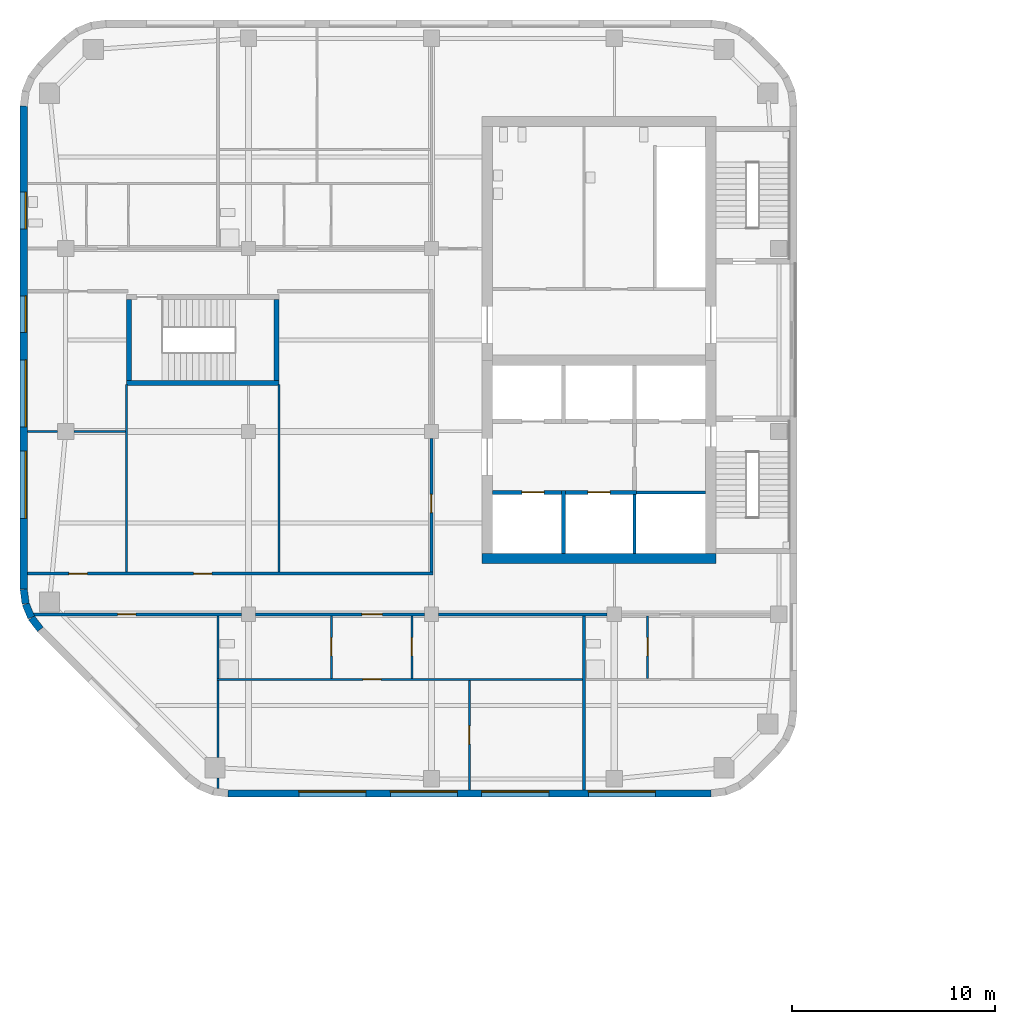
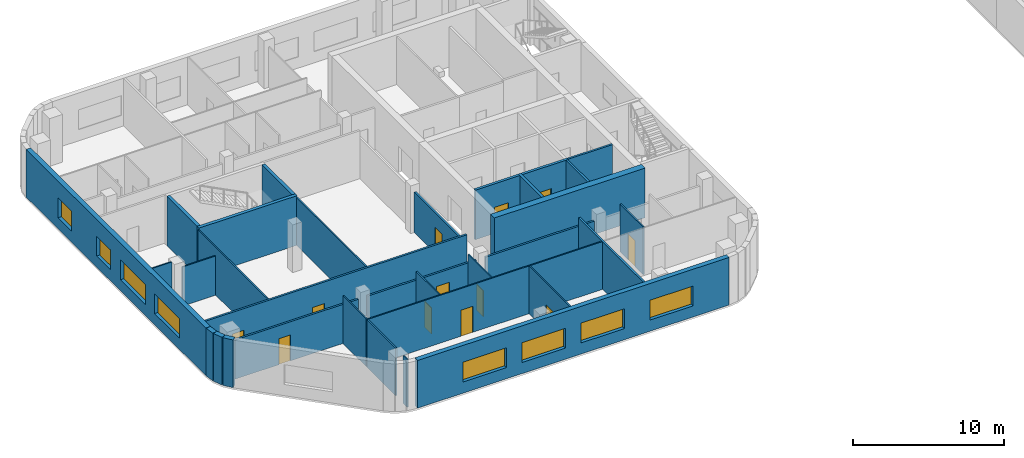
# One storey, part 5 of 16: 32 walls, 12 doors, 8 windows, 20 openings.
"""IFC4 building model written with IfcOpenShell, lengths in metres."""

from ifc_helpers import new_model, si_unit, direction, frame, frame_2d, origin, place, context, subcontext, project, spatial, rectangle, extrude, material, layer, layer_set, type_object, element, fill, save


model = new_model("IFC4")

# Units and contexts
model_context = context("Model", 3, precision=1e-05, world=origin(), true_north=direction((0.0, 1.0)))
body_context = subcontext(model_context, "Body", "Model", "MODEL_VIEW")
ifc_project = project(units=[si_unit("LENGTHUNIT", "METRE"), si_unit("AREAUNIT", "SQUARE_METRE"), si_unit("VOLUMEUNIT", "CUBIC_METRE"), si_unit("PLANEANGLEUNIT", "RADIAN"), si_unit("MASSUNIT", "GRAM", prefix="KILO")], contexts=[model_context])

# Site, building, storey
site_placement = place(None, origin())
site = spatial("IfcSite", under=ifc_project, at=site_placement, CompositionType="ELEMENT")
building_placement = place(site_placement, origin())
building = spatial("IfcBuilding", under=site, at=building_placement, Name="Cinnabar Reach Civic Tower", CompositionType="ELEMENT")
storey_placement = place(building_placement, frame((0.0, 0.0, 79.0)))
storey = spatial("IfcBuildingStorey", under=building, at=storey_placement, Name="L18", CompositionType="ELEMENT", Elevation=79.0)

# Walls
ifc_material_1 = material(Name="Facing brick with insulated backing", Category="masonry")
ifc_layer_1 = layer(ifc_material_1, 0.36)
ifc_layer_set_1 = layer_set([ifc_layer_1], Name="Brick corner wall")
wall_type_1 = type_object("IfcWallType", Name="Brick corner wall", PredefinedType="STANDARD", material=ifc_layer_set_1)
for number, where, z_axis, x_axis, name in (
    (1, (-65.067, 19.2314, 0.0), (0.0, 0.0, 1.0), (0.13055608231, -0.99144092581, 0.0), "Brick corner wall"),
    (2, (-64.9681, 18.5027, 0.0), (0.0, 0.0, 1.0), (0.382702709855, -0.923871547278, 0.0), "Brick corner wall"),
):
    element("IfcWall", number, at=place(storey_placement, frame(where, z_axis=z_axis, x_axis=x_axis)), inside=storey, type_object=wall_type_1, Name=name, PredefinedType="STANDARD", context=body_context, shape_type="SweptSolid", body=[
        extrude(rectangle(XDim=0.7131, YDim=0.36, at=frame_2d((0.3565, 0.0))), origin(), (0.0, 0.0, 1.0), 3.85),
    ])
wall_1_placement = place(storey_placement, frame((-64.684, 17.8245, 0.0), z_axis=(0.0, 0.0, 1.0), x_axis=(0.608802368033, -0.793321924995, 0.0)))
element("IfcWall", 3, at=wall_1_placement, inside=storey, type_object=wall_type_1, Name="Brick corner wall", PredefinedType="STANDARD", context=body_context, shape_type="SweptSolid", body=[
    extrude(rectangle(XDim=0.7132, YDim=0.36, at=frame_2d((0.3566, 0.0))), origin(), (0.0, 0.0, 1.0), 3.85),
])

# Wall, openings, windows
ifc_layer_2 = layer(ifc_material_1, 0.36)
ifc_layer_set_2 = layer_set([ifc_layer_2], Name="Brick pier and spandrel wall")
wall_type_2 = type_object("IfcWallType", Name="Brick pier and spandrel wall", PredefinedType="STANDARD", material=ifc_layer_set_2)
wall_2_placement = place(storey_placement, frame((-55.0074, 9.18, 0.0), z_axis=(0.0, 0.0, 1.0), x_axis=(1.0, 0.0, 0.0)))
wall_2 = element("IfcWall", 4, at=wall_2_placement, inside=storey, type_object=wall_type_2, Name="Brick facade wall", PredefinedType="STANDARD", context=body_context, shape_type="SweptSolid", body=[
    extrude(rectangle(XDim=23.7648, YDim=0.36, at=frame_2d((11.8824, 0.0))), origin(), (0.0, 0.0, 1.0), 3.85),
])
opening_1_placement = place(wall_2_placement, frame((3.4824, 0.0, 0.9)))
opening_1 = element("IfcOpeningElement", 5, at=opening_1_placement, cuts=wall_2, Name="Opening W2586", PredefinedType="OPENING", context=body_context, shape_type="SweptSolid", body=[
    extrude(rectangle(XDim=3.3, YDim=1.6, at=frame_2d((1.65, 0.8))), frame((0.0, 0.19, 0.0), z_axis=(0.0, -1.0, 0.0), x_axis=(1.0, 0.0, 0.0)), (0.0, 0.0, 1.0), 0.38),
])
opening_2_placement = place(wall_2_placement, frame((7.9824, 0.0, 0.9)))
opening_2 = element("IfcOpeningElement", 6, at=opening_2_placement, cuts=wall_2, Name="Opening W2587", PredefinedType="OPENING", context=body_context, shape_type="SweptSolid", body=[
    extrude(rectangle(XDim=3.3, YDim=1.6, at=frame_2d((1.65, 0.8))), frame((0.0, 0.19, 0.0), z_axis=(0.0, -1.0, 0.0), x_axis=(1.0, 0.0, 0.0)), (0.0, 0.0, 1.0), 0.38),
])
opening_3_placement = place(wall_2_placement, frame((12.4824, 0.0, 0.9)))
opening_3 = element("IfcOpeningElement", 7, at=opening_3_placement, cuts=wall_2, Name="Opening W2588", PredefinedType="OPENING", context=body_context, shape_type="SweptSolid", body=[
    extrude(rectangle(XDim=3.3, YDim=1.6, at=frame_2d((1.65, 0.8))), frame((0.0, 0.19, 0.0), z_axis=(0.0, -1.0, 0.0), x_axis=(1.0, 0.0, 0.0)), (0.0, 0.0, 1.0), 0.38),
])
opening_4_placement = place(wall_2_placement, frame((17.7324, 0.0, 0.9)))
opening_4 = element("IfcOpeningElement", 8, at=opening_4_placement, cuts=wall_2, Name="Opening W2589", PredefinedType="OPENING", context=body_context, shape_type="SweptSolid", body=[
    extrude(rectangle(XDim=3.3, YDim=1.6, at=frame_2d((1.65, 0.8))), frame((0.0, 0.19, 0.0), z_axis=(0.0, -1.0, 0.0), x_axis=(1.0, 0.0, 0.0)), (0.0, 0.0, 1.0), 0.38),
])
ifc_material_2 = material(Name="Clear double glazing in aluminium frame", Category="aluminium")
window_type_1 = type_object("IfcWindowType", Name="Deep-set window A", PartitioningType="SINGLE_PANEL", PredefinedType="WINDOW", material=ifc_material_2)
window_1_placement = place(opening_1_placement, origin())
window_1 = element("IfcWindow", 9, at=window_1_placement, inside=storey, type_object=window_type_1, Name="Window south face", OverallHeight=1.6, OverallWidth=3.3, PartitioningType="SINGLE_PANEL", PredefinedType="WINDOW", context=body_context, shape_type="SweptSolid", body=[
    extrude(rectangle(XDim=3.3, YDim=1.6, at=frame_2d((1.65, 0.8))), frame((0.0, 0.13, 0.0), z_axis=(0.0, -1.0, 0.0), x_axis=(1.0, 0.0, 0.0)), (0.0, 0.0, 1.0), 0.06),
])
fill(opening_1, window_1)
window_2_placement = place(opening_2_placement, origin())
window_2 = element("IfcWindow", 10, at=window_2_placement, inside=storey, type_object=window_type_1, Name="Window south face", OverallHeight=1.6, OverallWidth=3.3, PartitioningType="SINGLE_PANEL", PredefinedType="WINDOW", context=body_context, shape_type="SweptSolid", body=[
    extrude(rectangle(XDim=3.3, YDim=1.6, at=frame_2d((1.65, 0.8))), frame((0.0, 0.13, 0.0), z_axis=(0.0, -1.0, 0.0), x_axis=(1.0, 0.0, 0.0)), (0.0, 0.0, 1.0), 0.06),
])
fill(opening_2, window_2)
window_3_placement = place(opening_3_placement, origin())
window_3 = element("IfcWindow", 11, at=window_3_placement, inside=storey, type_object=window_type_1, Name="Window south face", OverallHeight=1.6, OverallWidth=3.3, PartitioningType="SINGLE_PANEL", PredefinedType="WINDOW", context=body_context, shape_type="SweptSolid", body=[
    extrude(rectangle(XDim=3.3, YDim=1.6, at=frame_2d((1.65, 0.8))), frame((0.0, 0.13, 0.0), z_axis=(0.0, -1.0, 0.0), x_axis=(1.0, 0.0, 0.0)), (0.0, 0.0, 1.0), 0.06),
])
fill(opening_3, window_3)
window_4_placement = place(opening_4_placement, origin())
window_4 = element("IfcWindow", 12, at=window_4_placement, inside=storey, type_object=window_type_1, Name="Window south face", OverallHeight=1.6, OverallWidth=3.3, PartitioningType="SINGLE_PANEL", PredefinedType="WINDOW", context=body_context, shape_type="SweptSolid", body=[
    extrude(rectangle(XDim=3.3, YDim=1.6, at=frame_2d((1.65, 0.8))), frame((0.0, 0.13, 0.0), z_axis=(0.0, -1.0, 0.0), x_axis=(1.0, 0.0, 0.0)), (0.0, 0.0, 1.0), 0.06),
])
fill(opening_4, window_4)

wall_3_placement = place(storey_placement, frame((-65.07, 43.0074, 0.0), z_axis=(0.0, 0.0, 1.0), x_axis=(0.0, -1.0, 0.0)))
wall_3 = element("IfcWall", 13, at=wall_3_placement, inside=storey, type_object=wall_type_2, Name="Brick facade wall", PredefinedType="STANDARD", context=body_context, shape_type="SweptSolid", body=[
    extrude(rectangle(XDim=23.7648, YDim=0.36, at=frame_2d((11.8824, 0.0))), origin(), (0.0, 0.0, 1.0), 3.85),
])
opening_5_placement = place(wall_3_placement, frame((4.2324, 0.0, 0.9)))
opening_5 = element("IfcOpeningElement", 14, at=opening_5_placement, cuts=wall_3, Name="Opening W2598", PredefinedType="OPENING", context=body_context, shape_type="SweptSolid", body=[
    extrude(rectangle(XDim=1.8, YDim=1.6, at=frame_2d((0.9, 0.8))), frame((0.0, 0.19, 0.0), z_axis=(0.0, -1.0, 0.0), x_axis=(1.0, 0.0, 0.0)), (0.0, 0.0, 1.0), 0.38),
])
opening_6_placement = place(wall_3_placement, frame((9.3324, 0.0, 0.9)))
opening_6 = element("IfcOpeningElement", 15, at=opening_6_placement, cuts=wall_3, Name="Opening W2599", PredefinedType="OPENING", context=body_context, shape_type="SweptSolid", body=[
    extrude(rectangle(XDim=1.8, YDim=1.6, at=frame_2d((0.9, 0.8))), frame((0.0, 0.19, 0.0), z_axis=(0.0, -1.0, 0.0), x_axis=(1.0, 0.0, 0.0)), (0.0, 0.0, 1.0), 0.38),
])
opening_7_placement = place(wall_3_placement, frame((12.4824, 0.0, 0.9)))
opening_7 = element("IfcOpeningElement", 16, at=opening_7_placement, cuts=wall_3, Name="Opening W2600", PredefinedType="OPENING", context=body_context, shape_type="SweptSolid", body=[
    extrude(rectangle(XDim=3.3, YDim=1.6, at=frame_2d((1.65, 0.8))), frame((0.0, 0.19, 0.0), z_axis=(0.0, -1.0, 0.0), x_axis=(1.0, 0.0, 0.0)), (0.0, 0.0, 1.0), 0.38),
])
opening_8_placement = place(wall_3_placement, frame((16.9824, 0.0, 0.9)))
opening_8 = element("IfcOpeningElement", 17, at=opening_8_placement, cuts=wall_3, Name="Opening W2601", PredefinedType="OPENING", context=body_context, shape_type="SweptSolid", body=[
    extrude(rectangle(XDim=3.3, YDim=1.6, at=frame_2d((1.65, 0.8))), frame((0.0, 0.19, 0.0), z_axis=(0.0, -1.0, 0.0), x_axis=(1.0, 0.0, 0.0)), (0.0, 0.0, 1.0), 0.38),
])
window_5_placement = place(opening_7_placement, origin())
window_5 = element("IfcWindow", 18, at=window_5_placement, inside=storey, type_object=window_type_1, Name="Window west face", OverallHeight=1.6, OverallWidth=3.3, PartitioningType="SINGLE_PANEL", PredefinedType="WINDOW", context=body_context, shape_type="SweptSolid", body=[
    extrude(rectangle(XDim=3.3, YDim=1.6, at=frame_2d((1.65, 0.8))), frame((0.0, 0.13, 0.0), z_axis=(0.0, -1.0, 0.0), x_axis=(1.0, 0.0, 0.0)), (0.0, 0.0, 1.0), 0.06),
])
fill(opening_7, window_5)
window_6_placement = place(opening_8_placement, origin())
window_6 = element("IfcWindow", 19, at=window_6_placement, inside=storey, type_object=window_type_1, Name="Window west face", OverallHeight=1.6, OverallWidth=3.3, PartitioningType="SINGLE_PANEL", PredefinedType="WINDOW", context=body_context, shape_type="SweptSolid", body=[
    extrude(rectangle(XDim=3.3, YDim=1.6, at=frame_2d((1.65, 0.8))), frame((0.0, 0.13, 0.0), z_axis=(0.0, -1.0, 0.0), x_axis=(1.0, 0.0, 0.0)), (0.0, 0.0, 1.0), 0.06),
])
fill(opening_8, window_6)
window_type_2 = type_object("IfcWindowType", Name="Deep-set window D", PartitioningType="SINGLE_PANEL", PredefinedType="WINDOW", material=ifc_material_2)
window_7_placement = place(opening_5_placement, origin())
window_7 = element("IfcWindow", 20, at=window_7_placement, inside=storey, type_object=window_type_2, Name="Window west face", OverallHeight=1.6, OverallWidth=1.8, PartitioningType="SINGLE_PANEL", PredefinedType="WINDOW", context=body_context, shape_type="SweptSolid", body=[
    extrude(rectangle(XDim=1.8, YDim=1.6, at=frame_2d((0.9, 0.8))), frame((0.0, 0.13, 0.0), z_axis=(0.0, -1.0, 0.0), x_axis=(1.0, 0.0, 0.0)), (0.0, 0.0, 1.0), 0.06),
])
fill(opening_5, window_7)
window_8_placement = place(opening_6_placement, origin())
window_8 = element("IfcWindow", 21, at=window_8_placement, inside=storey, type_object=window_type_2, Name="Window west face", OverallHeight=1.6, OverallWidth=1.8, PartitioningType="SINGLE_PANEL", PredefinedType="WINDOW", context=body_context, shape_type="SweptSolid", body=[
    extrude(rectangle(XDim=1.8, YDim=1.6, at=frame_2d((0.9, 0.8))), frame((0.0, 0.13, 0.0), z_axis=(0.0, -1.0, 0.0), x_axis=(1.0, 0.0, 0.0)), (0.0, 0.0, 1.0), 0.06),
])
fill(opening_6, window_8)

# Walls
ifc_material_3 = material(Name="Concrete C60", Category="concrete")
ifc_layer_3 = layer(ifc_material_3, 0.5)
ifc_layer_set_3 = layer_set([ifc_layer_3], Name="Core wall 500 EI 180")
wall_type_3 = type_object("IfcWallType", Name="Core wall 500 EI 180", PredefinedType="SOLIDWALL", material=ifc_layer_set_3)
wall_4_placement = place(storey_placement, frame((-42.5, 20.75, 0.0), z_axis=(0.0, 0.0, 1.0), x_axis=(1.0, 0.0, 0.0)))
element("IfcWall", 22, at=wall_4_placement, inside=storey, type_object=wall_type_3, Name="Core wall T2 L18 S", PredefinedType="SOLIDWALL", context=body_context, shape_type="SweptSolid", body=[
    extrude(rectangle(XDim=11.5, YDim=0.5, at=frame_2d((5.75, 0.0))), origin(), (0.0, 0.0, 1.0), 4.0),
])
ifc_material_4 = material(Name="Gypsum board on steel studs, double layer", Category="steel")
ifc_layer_4 = layer(ifc_material_4, 0.15)
ifc_layer_set_4 = layer_set([ifc_layer_4], Name="Corridor wall 150 T2")
wall_type_4 = type_object("IfcWallType", Name="Corridor wall 150 T2", PredefinedType="PARTITIONING", material=ifc_layer_set_4)
wall_5_placement = place(storey_placement, frame((-44.65, 18.0, 0.0), z_axis=(0.0, 0.0, 1.0), x_axis=(1.0, 0.0, 0.0)))
element("IfcWall", 23, at=wall_5_placement, inside=storey, type_object=wall_type_4, Name="Corridor wall 2", PredefinedType="PARTITIONING", context=body_context, shape_type="SweptSolid", body=[
    extrude(rectangle(XDim=8.3, YDim=0.15, at=frame_2d((4.15, 0.0))), origin(), (0.0, 0.0, 1.0), 3.158),
])

# Wall, opening, door
wall_6_placement = place(storey_placement, frame((-53.65, 18.0, 0.0), z_axis=(0.0, 0.0, 1.0), x_axis=(1.0, 0.0, 0.0)))
wall_6 = element("IfcWall", 24, at=wall_6_placement, inside=storey, type_object=wall_type_4, Name="Corridor wall 3", PredefinedType="PARTITIONING", context=body_context, shape_type="SweptSolid", body=[
    extrude(rectangle(XDim=8.3, YDim=0.15, at=frame_2d((4.15, 0.0))), origin(), (0.0, 0.0, 1.0), 3.158),
])
opening_9_placement = place(wall_6_placement, frame((5.23, 0.0, 0.0)))
opening_9 = element("IfcOpeningElement", 25, at=opening_9_placement, cuts=wall_6, Name="Opening D6686", PredefinedType="OPENING", context=body_context, shape_type="SweptSolid", body=[
    extrude(rectangle(XDim=1.0, YDim=2.1, at=frame_2d((0.5, 1.05))), frame((0.0, 0.085, 0.0), z_axis=(0.0, -1.0, 0.0), x_axis=(1.0, 0.0, 0.0)), (0.0, 0.0, 1.0), 0.17),
])
ifc_material_5 = material(Name="Timber door leaf in steel frame", Category="steel")
door_type_1 = type_object("IfcDoorType", Name="Tenancy entrance door 1000 x 2100 T2", OperationType="SINGLE_SWING_LEFT", PredefinedType="DOOR", material=ifc_material_5)
door_1_placement = place(opening_9_placement, frame((1.0, 0.0, 0.0), z_axis=(0.0, 0.0, 1.0), x_axis=(-1.0, 0.0, 0.0)))
door_1 = element("IfcDoor", 26, at=door_1_placement, inside=storey, type_object=door_type_1, Name="Door D6686", OperationType="SINGLE_SWING_RIGHT", OverallHeight=2.1, OverallWidth=1.0, PredefinedType="DOOR", context=body_context, shape_type="SweptSolid", body=[
    extrude(rectangle(XDim=1.0, YDim=2.1, at=frame_2d((0.5, 1.05))), frame((0.0, 0.025, 0.0), z_axis=(0.0, -1.0, 0.0), x_axis=(1.0, 0.0, 0.0)), (0.0, 0.0, 1.0), 0.05),
])
fill(opening_9, door_1)

wall_7_placement = place(storey_placement, frame((-64.5961, 18.0, 0.0), z_axis=(0.0, 0.0, 1.0), x_axis=(1.0, 0.0, 0.0)))
wall_7 = element("IfcWall", 27, at=wall_7_placement, inside=storey, type_object=wall_type_4, Name="Corridor wall 4", PredefinedType="PARTITIONING", context=body_context, shape_type="SweptSolid", body=[
    extrude(rectangle(XDim=10.2461, YDim=0.15, at=frame_2d((5.1231, 0.0))), origin(), (0.0, 0.0, 1.0), 3.158),
])
opening_10_placement = place(wall_7_placement, frame((4.15, 0.0, 0.0)))
opening_10 = element("IfcOpeningElement", 28, at=opening_10_placement, cuts=wall_7, Name="Opening D6681", PredefinedType="OPENING", context=body_context, shape_type="SweptSolid", body=[
    extrude(rectangle(XDim=0.9, YDim=2.1, at=frame_2d((0.45, 1.05))), frame((0.0, 0.085, 0.0), z_axis=(0.0, -1.0, 0.0), x_axis=(1.0, 0.0, 0.0)), (0.0, 0.0, 1.0), 0.17),
])
door_type_2 = type_object("IfcDoorType", Name="Single swing door 900 x 2100 T2", OperationType="SINGLE_SWING_LEFT", PredefinedType="DOOR", material=ifc_material_5)
door_2_placement = place(opening_10_placement, frame((0.9, 0.0, 0.0), z_axis=(0.0, 0.0, 1.0), x_axis=(-1.0, 0.0, 0.0)))
door_2 = element("IfcDoor", 29, at=door_2_placement, inside=storey, type_object=door_type_2, Name="Door D6681", OperationType="SINGLE_SWING_RIGHT", OverallHeight=2.1, OverallWidth=0.9, PredefinedType="DOOR", context=body_context, shape_type="SweptSolid", body=[
    extrude(rectangle(XDim=0.9, YDim=2.1, at=frame_2d((0.45, 1.05))), frame((0.0, 0.025, 0.0), z_axis=(0.0, -1.0, 0.0), x_axis=(1.0, 0.0, 0.0)), (0.0, 0.0, 1.0), 0.05),
])
fill(opening_10, door_2)

# Wall, openings, doors
wall_8_placement = place(storey_placement, frame((-64.89, 20.0, 0.0), z_axis=(0.0, 0.0, 1.0), x_axis=(1.0, 0.0, 0.0)))
wall_8 = element("IfcWall", 30, at=wall_8_placement, inside=storey, type_object=wall_type_4, Name="Corridor wall 9", PredefinedType="PARTITIONING", context=body_context, shape_type="SweptSolid", body=[
    extrude(rectangle(XDim=19.965, YDim=0.15, at=frame_2d((9.9825, 0.0))), origin(), (0.0, 0.0, 1.0), 3.85),
])
opening_11_placement = place(wall_8_placement, frame((2.05, 0.0, 0.0)))
opening_11 = element("IfcOpeningElement", 31, at=opening_11_placement, cuts=wall_8, Name="Opening D6702", PredefinedType="OPENING", context=body_context, shape_type="SweptSolid", body=[
    extrude(rectangle(XDim=0.9, YDim=2.1, at=frame_2d((0.45, 1.05))), frame((0.0, 0.085, 0.0), z_axis=(0.0, -1.0, 0.0), x_axis=(1.0, 0.0, 0.0)), (0.0, 0.0, 1.0), 0.17),
])
opening_12_placement = place(wall_8_placement, frame((8.19, 0.0, 0.0)))
opening_12 = element("IfcOpeningElement", 32, at=opening_12_placement, cuts=wall_8, Name="Opening D6704", PredefinedType="OPENING", context=body_context, shape_type="SweptSolid", body=[
    extrude(rectangle(XDim=0.9, YDim=2.1, at=frame_2d((0.45, 1.05))), frame((0.0, 0.085, 0.0), z_axis=(0.0, -1.0, 0.0), x_axis=(1.0, 0.0, 0.0)), (0.0, 0.0, 1.0), 0.17),
])
door_3_placement = place(opening_11_placement, origin())
door_3 = element("IfcDoor", 33, at=door_3_placement, inside=storey, type_object=door_type_2, Name="Door D6702", OperationType="SINGLE_SWING_LEFT", OverallHeight=2.1, OverallWidth=0.9, PredefinedType="DOOR", context=body_context, shape_type="SweptSolid", body=[
    extrude(rectangle(XDim=0.9, YDim=2.1, at=frame_2d((0.45, 1.05))), frame((0.0, 0.025, 0.0), z_axis=(0.0, -1.0, 0.0), x_axis=(1.0, 0.0, 0.0)), (0.0, 0.0, 1.0), 0.05),
])
fill(opening_11, door_3)
door_4_placement = place(opening_12_placement, origin())
door_4 = element("IfcDoor", 34, at=door_4_placement, inside=storey, type_object=door_type_2, Name="Door D6704", OperationType="SINGLE_SWING_RIGHT", OverallHeight=2.1, OverallWidth=0.9, PredefinedType="DOOR", context=body_context, shape_type="SweptSolid", body=[
    extrude(rectangle(XDim=0.9, YDim=2.1, at=frame_2d((0.45, 1.05))), frame((0.0, 0.025, 0.0), z_axis=(0.0, -1.0, 0.0), x_axis=(1.0, 0.0, 0.0)), (0.0, 0.0, 1.0), 0.05),
])
fill(opening_12, door_4)

# Wall, opening, door
wall_9_placement = place(storey_placement, frame((-45.0, 20.075, 0.0), z_axis=(0.0, 0.0, 1.0), x_axis=(0.0, 1.0, 0.0)))
wall_9 = element("IfcWall", 35, at=wall_9_placement, inside=storey, type_object=wall_type_4, Name="Corridor wall 10", PredefinedType="PARTITIONING", context=body_context, shape_type="SweptSolid", body=[
    extrude(rectangle(XDim=6.575, YDim=0.15, at=frame_2d((3.2875, 0.0))), origin(), (0.0, 0.0, 1.0), 3.256),
])
opening_13_placement = place(wall_9_placement, frame((2.925, 0.0, 0.0)))
opening_13 = element("IfcOpeningElement", 36, at=opening_13_placement, cuts=wall_9, Name="Opening D6705", PredefinedType="OPENING", context=body_context, shape_type="SweptSolid", body=[
    extrude(rectangle(XDim=0.9, YDim=2.1, at=frame_2d((0.45, 1.05))), frame((0.0, 0.085, 0.0), z_axis=(0.0, -1.0, 0.0), x_axis=(1.0, 0.0, 0.0)), (0.0, 0.0, 1.0), 0.17),
])
door_5_placement = place(opening_13_placement, origin())
door_5 = element("IfcDoor", 37, at=door_5_placement, inside=storey, type_object=door_type_2, Name="Door D6705", OperationType="SINGLE_SWING_RIGHT", OverallHeight=2.1, OverallWidth=0.9, PredefinedType="DOOR", context=body_context, shape_type="SweptSolid", body=[
    extrude(rectangle(XDim=0.9, YDim=2.1, at=frame_2d((0.45, 1.05))), frame((0.0, 0.025, 0.0), z_axis=(0.0, -1.0, 0.0), x_axis=(1.0, 0.0, 0.0)), (0.0, 0.0, 1.0), 0.05),
])
fill(opening_13, door_5)

ifc_material_6 = material(Name="Gypsum board on steel studs", Category="steel")
ifc_layer_5 = layer(ifc_material_6, 0.1)
ifc_layer_set_5 = layer_set([ifc_layer_5], Name="Partition wall 100 T2")
wall_type_5 = type_object("IfcWallType", Name="Partition wall 100 T2", PredefinedType="PARTITIONING", material=ifc_layer_set_5)
wall_10_placement = place(storey_placement, frame((-55.55, 14.8, 0.0), z_axis=(0.0, 0.0, 1.0), x_axis=(1.0, 0.0, 0.0)))
wall_10 = element("IfcWall", 38, at=wall_10_placement, inside=storey, type_object=wall_type_5, Name="Partition wall 16", PredefinedType="PARTITIONING", context=body_context, shape_type="SweptSolid", body=[
    extrude(rectangle(XDim=17.975, YDim=0.1, at=frame_2d((8.9875, 0.0))), origin(), (0.0, 0.0, 1.0), 3.85),
])
opening_14_placement = place(wall_10_placement, frame((7.18, 0.0, 0.0)))
opening_14 = element("IfcOpeningElement", 39, at=opening_14_placement, cuts=wall_10, Name="Opening D6684", PredefinedType="OPENING", context=body_context, shape_type="SweptSolid", body=[
    extrude(rectangle(XDim=0.9, YDim=2.1, at=frame_2d((0.45, 1.05))), frame((0.0, 0.06, 0.0), z_axis=(0.0, -1.0, 0.0), x_axis=(1.0, 0.0, 0.0)), (0.0, 0.0, 1.0), 0.12),
])
door_6_placement = place(opening_14_placement, origin())
door_6 = element("IfcDoor", 40, at=door_6_placement, inside=storey, type_object=door_type_2, Name="Door D6684", OperationType="SINGLE_SWING_RIGHT", OverallHeight=2.1, OverallWidth=0.9, PredefinedType="DOOR", context=body_context, shape_type="SweptSolid", body=[
    extrude(rectangle(XDim=0.9, YDim=2.1, at=frame_2d((0.45, 1.05))), frame((0.0, 0.025, 0.0), z_axis=(0.0, -1.0, 0.0), x_axis=(1.0, 0.0, 0.0)), (0.0, 0.0, 1.0), 0.05),
])
fill(opening_14, door_6)

# Walls
for number, where, z_axis, x_axis, name in (
    (41, (-60.0, 20.075, 0.0), (0.0, 0.0, 1.0), (0.0, 1.0, 0.0), "Partition wall 23"),
    (42, (-52.5, 20.075, 0.0), (0.0, 0.0, 1.0), (0.0, 1.0, 0.0), "Partition wall 24"),
):
    element("IfcWall", number, at=place(storey_placement, frame(where, z_axis=z_axis, x_axis=x_axis)), inside=storey, type_object=wall_type_5, Name=name, PredefinedType="PARTITIONING", context=body_context, shape_type="SweptSolid", body=[
        extrude(rectangle(XDim=9.225, YDim=0.1, at=frame_2d((4.6125, 0.0))), origin(), (0.0, 0.0, 1.0), 3.85),
    ])
wall_11_placement = place(storey_placement, frame((-55.5, 14.85, 0.0), z_axis=(0.0, 0.0, 1.0), x_axis=(0.0, 1.0, 0.0)))
element("IfcWall", 43, at=wall_11_placement, inside=storey, type_object=wall_type_5, Name="Partition wall 25", PredefinedType="PARTITIONING", context=body_context, shape_type="SweptSolid", body=[
    extrude(rectangle(XDim=3.075, YDim=0.1, at=frame_2d((1.5375, 0.0))), origin(), (0.0, 0.0, 1.0), 3.85),
])
wall_12_placement = place(storey_placement, frame((-55.5, 10.9531, 0.0), z_axis=(0.0, 0.0, 1.0), x_axis=(0.0, 1.0, 0.0)))
element("IfcWall", 44, at=wall_12_placement, inside=storey, type_object=wall_type_5, Name="Partition wall 26", PredefinedType="PARTITIONING", context=body_context, shape_type="SweptSolid", body=[
    extrude(rectangle(XDim=3.7969, YDim=0.1, at=frame_2d((1.8984, 0.0))), origin(), (0.0, 0.0, 1.0), 3.85),
])
wall_13_placement = place(storey_placement, frame((-55.5, 9.428, 0.0), z_axis=(0.0, 0.0, 1.0), x_axis=(0.0, 1.0, 0.0)))
element("IfcWall", 45, at=wall_13_placement, inside=storey, type_object=wall_type_5, Name="Partition wall 27", PredefinedType="PARTITIONING", context=body_context, shape_type="SweptSolid", body=[
    extrude(rectangle(XDim=0.5251, YDim=0.1, at=frame_2d((0.2626, 0.0))), origin(), (0.0, 0.0, 1.0), 3.85),
])

# Wall, opening, door
wall_14_placement = place(storey_placement, frame((-43.13, 9.36, 0.0), z_axis=(0.0, 0.0, 1.0), x_axis=(0.0, 1.0, 0.0)))
wall_14 = element("IfcWall", 46, at=wall_14_placement, inside=storey, type_object=wall_type_5, Name="Partition wall 30", PredefinedType="PARTITIONING", context=body_context, shape_type="SweptSolid", body=[
    extrude(rectangle(XDim=5.39, YDim=0.1, at=frame_2d((2.695, 0.0))), origin(), (0.0, 0.0, 1.0), 3.85),
])
opening_15_placement = place(wall_14_placement, frame((2.25, 0.0, 0.0)))
opening_15 = element("IfcOpeningElement", 47, at=opening_15_placement, cuts=wall_14, Name="Opening D6685", PredefinedType="OPENING", context=body_context, shape_type="SweptSolid", body=[
    extrude(rectangle(XDim=0.9, YDim=2.1, at=frame_2d((0.45, 1.05))), frame((0.0, 0.06, 0.0), z_axis=(0.0, -1.0, 0.0), x_axis=(1.0, 0.0, 0.0)), (0.0, 0.0, 1.0), 0.12),
])
door_7_placement = place(opening_15_placement, frame((0.9, 0.0, 0.0), z_axis=(0.0, 0.0, 1.0), x_axis=(-1.0, 0.0, 0.0)))
door_7 = element("IfcDoor", 48, at=door_7_placement, inside=storey, type_object=door_type_2, Name="Door D6685", OperationType="SINGLE_SWING_LEFT", OverallHeight=2.1, OverallWidth=0.9, PredefinedType="DOOR", context=body_context, shape_type="SweptSolid", body=[
    extrude(rectangle(XDim=0.9, YDim=2.1, at=frame_2d((0.45, 1.05))), frame((0.0, 0.025, 0.0), z_axis=(0.0, -1.0, 0.0), x_axis=(1.0, 0.0, 0.0)), (0.0, 0.0, 1.0), 0.05),
])
fill(opening_15, door_7)

# Walls
wall_15_placement = place(storey_placement, frame((-62.6, 27.0, 0.0), z_axis=(0.0, 0.0, 1.0), x_axis=(1.0, 0.0, 0.0)))
element("IfcWall", 49, at=wall_15_placement, inside=storey, type_object=wall_type_5, Name="Partition wall 31", PredefinedType="PARTITIONING", context=body_context, shape_type="SweptSolid", body=[
    extrude(rectangle(XDim=2.55, YDim=0.1, at=frame_2d((1.275, 0.0))), origin(), (0.0, 0.0, 1.0), 3.158),
])
wall_16_placement = place(storey_placement, frame((-64.89, 27.0, 0.0), z_axis=(0.0, 0.0, 1.0), x_axis=(1.0, 0.0, 0.0)))
element("IfcWall", 50, at=wall_16_placement, inside=storey, type_object=wall_type_5, Name="Partition wall 32", PredefinedType="PARTITIONING", context=body_context, shape_type="SweptSolid", body=[
    extrude(rectangle(XDim=1.49, YDim=0.1, at=frame_2d((0.745, 0.0))), origin(), (0.0, 0.0, 1.0), 3.85),
])

# Wall, opening, door
wall_17_placement = place(storey_placement, frame((-49.92, 14.85, 0.0), z_axis=(0.0, 0.0, 1.0), x_axis=(0.0, 1.0, 0.0)))
wall_17 = element("IfcWall", 51, at=wall_17_placement, inside=storey, type_object=wall_type_5, Name="Partition wall 37", PredefinedType="PARTITIONING", context=body_context, shape_type="SweptSolid", body=[
    extrude(rectangle(XDim=3.075, YDim=0.1, at=frame_2d((1.5375, 0.0))), origin(), (0.0, 0.0, 1.0), 3.85),
])
opening_16_placement = place(wall_17_placement, frame((1.1, 0.0, 0.0)))
opening_16 = element("IfcOpeningElement", 52, at=opening_16_placement, cuts=wall_17, Name="Opening D6682", PredefinedType="OPENING", context=body_context, shape_type="SweptSolid", body=[
    extrude(rectangle(XDim=0.9, YDim=2.1, at=frame_2d((0.45, 1.05))), frame((0.0, 0.06, 0.0), z_axis=(0.0, -1.0, 0.0), x_axis=(1.0, 0.0, 0.0)), (0.0, 0.0, 1.0), 0.12),
])
door_8_placement = place(opening_16_placement, origin())
door_8 = element("IfcDoor", 53, at=door_8_placement, inside=storey, type_object=door_type_2, Name="Door D6682", OperationType="SINGLE_SWING_LEFT", OverallHeight=2.1, OverallWidth=0.9, PredefinedType="DOOR", context=body_context, shape_type="SweptSolid", body=[
    extrude(rectangle(XDim=0.9, YDim=2.1, at=frame_2d((0.45, 1.05))), frame((0.0, 0.025, 0.0), z_axis=(0.0, -1.0, 0.0), x_axis=(1.0, 0.0, 0.0)), (0.0, 0.0, 1.0), 0.05),
])
fill(opening_16, door_8)

wall_18_placement = place(storey_placement, frame((-45.96, 14.85, 0.0), z_axis=(0.0, 0.0, 1.0), x_axis=(0.0, 1.0, 0.0)))
wall_18 = element("IfcWall", 54, at=wall_18_placement, inside=storey, type_object=wall_type_5, Name="Partition wall 38", PredefinedType="PARTITIONING", context=body_context, shape_type="SweptSolid", body=[
    extrude(rectangle(XDim=3.075, YDim=0.1, at=frame_2d((1.5375, 0.0))), origin(), (0.0, 0.0, 1.0), 3.85),
])
opening_17_placement = place(wall_18_placement, frame((1.1, 0.0, 0.0)))
opening_17 = element("IfcOpeningElement", 55, at=opening_17_placement, cuts=wall_18, Name="Opening D6683", PredefinedType="OPENING", context=body_context, shape_type="SweptSolid", body=[
    extrude(rectangle(XDim=0.9, YDim=2.1, at=frame_2d((0.45, 1.05))), frame((0.0, 0.06, 0.0), z_axis=(0.0, -1.0, 0.0), x_axis=(1.0, 0.0, 0.0)), (0.0, 0.0, 1.0), 0.12),
])
door_9_placement = place(opening_17_placement, origin())
door_9 = element("IfcDoor", 56, at=door_9_placement, inside=storey, type_object=door_type_2, Name="Door D6683", OperationType="SINGLE_SWING_RIGHT", OverallHeight=2.1, OverallWidth=0.9, PredefinedType="DOOR", context=body_context, shape_type="SweptSolid", body=[
    extrude(rectangle(XDim=0.9, YDim=2.1, at=frame_2d((0.45, 1.05))), frame((0.0, 0.025, 0.0), z_axis=(0.0, -1.0, 0.0), x_axis=(1.0, 0.0, 0.0)), (0.0, 0.0, 1.0), 0.05),
])
fill(opening_17, door_9)

wall_19_placement = place(storey_placement, frame((-34.3566, 14.85, 0.0), z_axis=(0.0, 0.0, 1.0), x_axis=(0.0, 1.0, 0.0)))
wall_19 = element("IfcWall", 57, at=wall_19_placement, inside=storey, type_object=wall_type_5, Name="Partition wall 39", PredefinedType="PARTITIONING", context=body_context, shape_type="SweptSolid", body=[
    extrude(rectangle(XDim=3.075, YDim=0.1, at=frame_2d((1.5375, 0.0))), origin(), (0.0, 0.0, 1.0), 3.85),
])
opening_18_placement = place(wall_19_placement, frame((1.1, 0.0, 0.0)))
opening_18 = element("IfcOpeningElement", 58, at=opening_18_placement, cuts=wall_19, Name="Opening D6687", PredefinedType="OPENING", context=body_context, shape_type="SweptSolid", body=[
    extrude(rectangle(XDim=0.9, YDim=2.1, at=frame_2d((0.45, 1.05))), frame((0.0, 0.06, 0.0), z_axis=(0.0, -1.0, 0.0), x_axis=(1.0, 0.0, 0.0)), (0.0, 0.0, 1.0), 0.12),
])
door_10_placement = place(opening_18_placement, origin())
door_10 = element("IfcDoor", 59, at=door_10_placement, inside=storey, type_object=door_type_2, Name="Door D6687", OperationType="SINGLE_SWING_RIGHT", OverallHeight=2.1, OverallWidth=0.9, PredefinedType="DOOR", context=body_context, shape_type="SweptSolid", body=[
    extrude(rectangle(XDim=0.9, YDim=2.1, at=frame_2d((0.45, 1.05))), frame((0.0, 0.025, 0.0), z_axis=(0.0, -1.0, 0.0), x_axis=(1.0, 0.0, 0.0)), (0.0, 0.0, 1.0), 0.05),
])
fill(opening_18, door_10)

# Walls
ifc_layer_6 = layer(ifc_material_3, 0.25)
ifc_layer_set_6 = layer_set([ifc_layer_6], Name="Stair shaft wall 250 EI 120")
wall_type_6 = type_object("IfcWallType", Name="Stair shaft wall 250 EI 120", PredefinedType="SOLIDWALL", material=ifc_layer_set_6)
wall_20_placement = place(storey_placement, frame((-60.0, 29.375, 0.0), z_axis=(0.0, 0.0, 1.0), x_axis=(1.0, 0.0, 0.0)))
element("IfcWall", 60, at=wall_20_placement, inside=storey, type_object=wall_type_6, Name="Stair shaft wall T2-S3 L18", PredefinedType="SOLIDWALL", context=body_context, shape_type="SweptSolid", body=[
    extrude(rectangle(XDim=7.5, YDim=0.25, at=frame_2d((3.75, 0.0))), origin(), (0.0, 0.0, 1.0), 4.0),
])
for number, where, z_axis, x_axis, name in (
    (61, (-52.625, 29.5, 0.0), (0.0, 0.0, 1.0), (0.0, 1.0, 0.0), "Stair shaft wall T2-S3 L18"),
    (62, (-59.875, 33.5, 0.0), (0.0, 0.0, 1.0), (0.0, -1.0, 0.0), "Stair shaft wall T2-S3 L18"),
):
    element("IfcWall", number, at=place(storey_placement, frame(where, z_axis=z_axis, x_axis=x_axis)), inside=storey, type_object=wall_type_6, Name=name, PredefinedType="SOLIDWALL", context=body_context, shape_type="SweptSolid", body=[
        extrude(rectangle(XDim=4.0, YDim=0.25, at=frame_2d((2.0, 0.0))), origin(), (0.0, 0.0, 1.0), 4.0),
    ])
ifc_material_7 = material(Name="Concrete C40", Category="concrete")
ifc_layer_7 = layer(ifc_material_7, 0.15)
ifc_layer_set_7 = layer_set([ifc_layer_7], Name="T2 Riser wall 150")
wall_type_7 = type_object("IfcWallType", Name="T2 Riser wall 150", PredefinedType="SOLIDWALL", material=ifc_layer_set_7)
wall_21_placement = place(storey_placement, frame((-35.0, 21.0, 0.0), z_axis=(0.0, 0.0, 1.0), x_axis=(0.0, 1.0, 0.0)))
element("IfcWall", 63, at=wall_21_placement, inside=storey, type_object=wall_type_7, Name="T2 Riser wall L18 010", PredefinedType="SOLIDWALL", context=body_context, shape_type="SweptSolid", body=[
    extrude(rectangle(XDim=2.9, YDim=0.15, at=frame_2d((1.45, 0.0))), origin(), (0.0, 0.0, 1.0), 4.0),
])
wall_22_placement = place(storey_placement, frame((-31.5, 24.0, 0.0), z_axis=(0.0, 0.0, 1.0), x_axis=(-1.0, 0.0, 0.0)))
element("IfcWall", 64, at=wall_22_placement, inside=storey, type_object=wall_type_7, Name="T2 Riser wall L18 011", PredefinedType="SOLIDWALL", context=body_context, shape_type="SweptSolid", body=[
    extrude(rectangle(XDim=3.4, YDim=0.15, at=frame_2d((1.7, 0.0))), origin(), (0.0, 0.0, 1.0), 4.0),
])
ifc_layer_8 = layer(ifc_material_7, 0.2)
ifc_layer_set_8 = layer_set([ifc_layer_8], Name="T2 Shaft wall 200")
wall_type_8 = type_object("IfcWallType", Name="T2 Shaft wall 200", PredefinedType="SOLIDWALL", material=ifc_layer_set_8)
wall_23_placement = place(storey_placement, frame((-38.5, 21.0, 0.0), z_axis=(0.0, 0.0, 1.0), x_axis=(0.0, 1.0, 0.0)))
element("IfcWall", 65, at=wall_23_placement, inside=storey, type_object=wall_type_8, Name="T2 Shaft wall L18 001", PredefinedType="SOLIDWALL", context=body_context, shape_type="SweptSolid", body=[
    extrude(rectangle(XDim=3.1, YDim=0.2, at=frame_2d((1.55, 0.0))), origin(), (0.0, 0.0, 1.0), 4.0),
])

# Wall, opening, door
wall_24_placement = place(storey_placement, frame((-38.6, 24.0, 0.0), z_axis=(0.0, 0.0, 1.0), x_axis=(-1.0, 0.0, 0.0)))
wall_24 = element("IfcWall", 66, at=wall_24_placement, inside=storey, type_object=wall_type_8, Name="T2 Shaft wall L18 002", PredefinedType="SOLIDWALL", context=body_context, shape_type="SweptSolid", body=[
    extrude(rectangle(XDim=3.4, YDim=0.2, at=frame_2d((1.7, 0.0))), origin(), (0.0, 0.0, 1.0), 4.0),
])
opening_19_placement = place(wall_24_placement, frame((0.85, 0.0, 0.0)))
opening_19 = element("IfcOpeningElement", 67, at=opening_19_placement, cuts=wall_24, Name="Opening D6666", PredefinedType="OPENING", context=body_context, shape_type="SweptSolid", body=[
    extrude(rectangle(XDim=1.1, YDim=2.1, at=frame_2d((0.55, 1.05))), frame((0.0, 0.11, 0.0), z_axis=(0.0, -1.0, 0.0), x_axis=(1.0, 0.0, 0.0)), (0.0, 0.0, 1.0), 0.22),
])
ifc_material_8 = material(Name="Steel fire door", Category="steel")
door_type_3 = type_object("IfcDoorType", Name="T2 Lift landing door 1100", OperationType="SLIDING_TO_LEFT", PredefinedType="DOOR", material=ifc_material_8)
door_11_placement = place(opening_19_placement, origin())
door_11 = element("IfcDoor", 68, at=door_11_placement, inside=storey, type_object=door_type_3, Name="T2 Lift landing door D6666", OperationType="SLIDING_TO_LEFT", OverallHeight=2.1, OverallWidth=1.1, PredefinedType="DOOR", context=body_context, shape_type="SweptSolid", body=[
    extrude(rectangle(XDim=1.1, YDim=2.1, at=frame_2d((0.55, 1.05))), frame((0.0, 0.025, 0.0), z_axis=(0.0, -1.0, 0.0), x_axis=(1.0, 0.0, 0.0)), (0.0, 0.0, 1.0), 0.05),
])
fill(opening_19, door_11)

wall_25_placement = place(storey_placement, frame((-34.9, 24.0, 0.0), z_axis=(0.0, 0.0, 1.0), x_axis=(-1.0, 0.0, 0.0)))
wall_25 = element("IfcWall", 69, at=wall_25_placement, inside=storey, type_object=wall_type_8, Name="T2 Shaft wall L18 003", PredefinedType="SOLIDWALL", context=body_context, shape_type="SweptSolid", body=[
    extrude(rectangle(XDim=3.5, YDim=0.2, at=frame_2d((1.75, 0.0))), origin(), (0.0, 0.0, 1.0), 4.0),
])
opening_20_placement = place(wall_25_placement, frame((1.3, 0.0, 0.0)))
opening_20 = element("IfcOpeningElement", 70, at=opening_20_placement, cuts=wall_25, Name="Opening D6667", PredefinedType="OPENING", context=body_context, shape_type="SweptSolid", body=[
    extrude(rectangle(XDim=1.1, YDim=2.1, at=frame_2d((0.55, 1.05))), frame((0.0, 0.11, 0.0), z_axis=(0.0, -1.0, 0.0), x_axis=(1.0, 0.0, 0.0)), (0.0, 0.0, 1.0), 0.22),
])
door_12_placement = place(opening_20_placement, origin())
door_12 = element("IfcDoor", 71, at=door_12_placement, inside=storey, type_object=door_type_3, Name="T2 Lift landing door D6667", OperationType="SLIDING_TO_LEFT", OverallHeight=2.1, OverallWidth=1.1, PredefinedType="DOOR", context=body_context, shape_type="SweptSolid", body=[
    extrude(rectangle(XDim=1.1, YDim=2.1, at=frame_2d((0.55, 1.05))), frame((0.0, 0.025, 0.0), z_axis=(0.0, -1.0, 0.0), x_axis=(1.0, 0.0, 0.0)), (0.0, 0.0, 1.0), 0.05),
])
fill(opening_20, door_12)

# Wall
ifc_layer_9 = layer(ifc_material_4, 0.15)
ifc_layer_set_9 = layer_set([ifc_layer_9], Name="Tenancy separating wall 150 T2")
wall_type_9 = type_object("IfcWallType", Name="Tenancy separating wall 150 T2", PredefinedType="PARTITIONING", material=ifc_layer_set_9)
wall_26_placement = place(storey_placement, frame((-37.5, 9.36, 0.0), z_axis=(0.0, 0.0, 1.0), x_axis=(0.0, 1.0, 0.0)))
element("IfcWall", 72, at=wall_26_placement, inside=storey, type_object=wall_type_9, Name="Tenancy separating wall 15", PredefinedType="PARTITIONING", context=body_context, shape_type="SweptSolid", body=[
    extrude(rectangle(XDim=8.565, YDim=0.15, at=frame_2d((4.2825, 0.0))), origin(), (0.0, 0.0, 1.0), 3.85),
])

save(model, "model.ifc")
